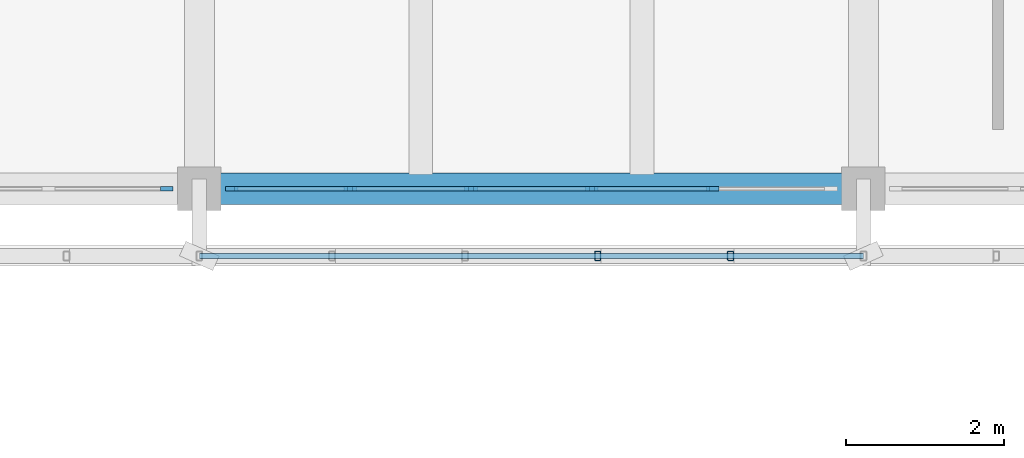
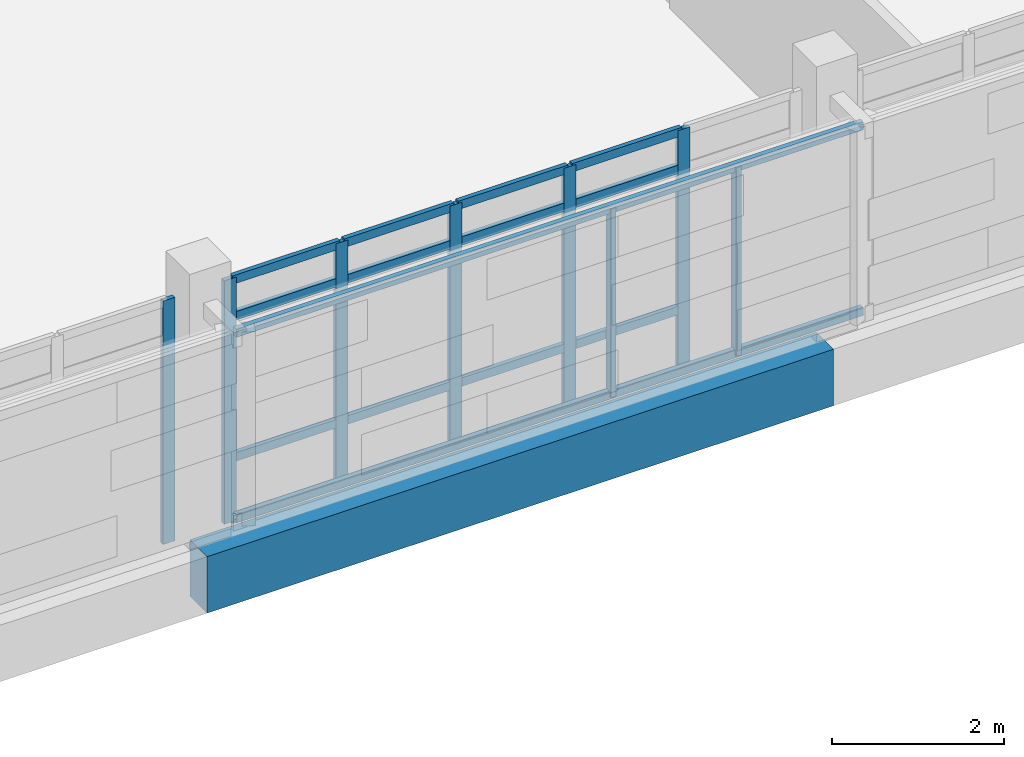
# One storey, part 41 of 117: 26 members, 1 beam, 2 elements without a shape of their own.
"""IFC4 building model written with IfcOpenShell, lengths in metres."""

from ifc_helpers import new_model, si_unit, direction, frame, origin, origin_2d, place, context, subcontext, project, spatial, rectangle, hollow_rectangle, extrude, material, material_profile, profile_set, type_object, element, aggregate, save


model = new_model("IFC4")

# Units and contexts
model_context = context("Model", 3, precision=1e-05, world=origin(), true_north=direction((0.0, 1.0)))
body_context = subcontext(model_context, "Body", "Model", "MODEL_VIEW")
ifc_project = project(units=[si_unit("LENGTHUNIT", "METRE"), si_unit("AREAUNIT", "SQUARE_METRE"), si_unit("VOLUMEUNIT", "CUBIC_METRE"), si_unit("PLANEANGLEUNIT", "RADIAN"), si_unit("MASSUNIT", "GRAM", prefix="KILO")], contexts=[model_context])

# Site, building, storey
site_placement = place(None, origin())
site = spatial("IfcSite", under=ifc_project, at=site_placement, CompositionType="ELEMENT")
building_placement = place(site_placement, origin())
building = spatial("IfcBuilding", under=site, at=building_placement, Name="Cinderway Yard Community Centre", CompositionType="ELEMENT")
storey_placement = place(building_placement, frame((0.0, 0.0, 9.0)))
storey = spatial("IfcBuildingStorey", under=building, at=storey_placement, Name="L02", CompositionType="ELEMENT", Elevation=9.0)

# Curtain wall, member
ifc_material_1 = material(Name="Aluminium 6063-T6", Category="aluminium")
curtain_wall_type = type_object("IfcCurtainWallType", Name="ENV-CW-TYPE-29", PredefinedType="USERDEFINED", material=ifc_material_1)
curtain_wall_1_placement = place(storey_placement, origin())
curtain_wall_1 = element("IfcCurtainWall", 1, at=curtain_wall_1_placement, inside=storey, type_object=curtain_wall_type, Name="V4 Courtyard Curtain Wall ENV-CW-L02-ST-0143", ObjectType="GLAZED CURTAIN WALL", PredefinedType="USERDEFINED")
ifc_material_profile_1 = material_profile(ifc_material_1, rectangle(XDim=0.06005859375, YDim=0.159912109375, at=origin_2d()), Name="Aluminium 6063-T6")
ifc_profile_set_1 = profile_set([ifc_material_profile_1], Name="Aluminium 6063-T6")
member_type_1 = type_object("IfcMemberType", Name="ENV-CW-MULL-150", PredefinedType="MULLION", material=ifc_profile_set_1)
member_1_placement = place(storey_placement, frame((49.590087890625, 90.0, 0.0), z_axis=(0.0, 0.0, 1.0), x_axis=(0.0, 1.0, 0.0)))
member_1 = element("IfcMember", 2, at=member_1_placement, type_object=member_type_1, Name="CW-29 mullion 6", PredefinedType="MULLION", context=body_context, shape_type="SweptSolid", body=[
    extrude(rectangle(XDim=0.06005859375, YDim=0.159912109375, at=origin_2d()), origin(), (0.0, 0.0, 1.0), 3.449951171875),
])
aggregate(curtain_wall_1, [member_1])

# Curtain wall, members
curtain_wall_2_placement = place(storey_placement, origin())
curtain_wall_2 = element("IfcCurtainWall", 3, at=curtain_wall_2_placement, inside=storey, type_object=curtain_wall_type, Name="V4 Courtyard Curtain Wall ENV-CW-L02-ST-0144", ObjectType="GLAZED CURTAIN WALL", PredefinedType="USERDEFINED")
member_2_placement = place(storey_placement, frame((50.409912109375, 90.0, 0.0), z_axis=(0.0, 0.0, 1.0), x_axis=(0.0, 1.0, 0.0)))
member_2 = element("IfcMember", 4, at=member_2_placement, type_object=member_type_1, Name="CW-29 mullion 1", PredefinedType="MULLION", context=body_context, shape_type="SweptSolid", body=[
    extrude(rectangle(XDim=0.06005859375, YDim=0.159912109375, at=origin_2d()), origin(), (0.0, 0.0, 1.0), 3.449951171875),
])
member_3_placement = place(storey_placement, frame((51.907958984375, 90.0, 0.0), z_axis=(0.0, 0.0, 1.0), x_axis=(0.0, 1.0, 0.0)))
member_3 = element("IfcMember", 5, at=member_3_placement, type_object=member_type_1, Name="CW-29 mullion 2", PredefinedType="MULLION", context=body_context, shape_type="SweptSolid", body=[
    extrude(rectangle(XDim=0.06005859375, YDim=0.159912109375, at=origin_2d()), origin(), (0.0, 0.0, 1.0), 3.449951171875),
])
member_4_placement = place(storey_placement, frame((53.43603515625, 90.0, 0.0), z_axis=(0.0, 0.0, 1.0), x_axis=(0.0, 1.0, 0.0)))
member_4 = element("IfcMember", 6, at=member_4_placement, type_object=member_type_1, Name="CW-29 mullion 3", PredefinedType="MULLION", context=body_context, shape_type="SweptSolid", body=[
    extrude(rectangle(XDim=0.06005859375, YDim=0.159912109375, at=origin_2d()), origin(), (0.0, 0.0, 1.0), 3.449951171875),
])
member_5_placement = place(storey_placement, frame((54.964111328125, 90.0, 0.0), z_axis=(0.0, 0.0, 1.0), x_axis=(0.0, 1.0, 0.0)))
member_5 = element("IfcMember", 7, at=member_5_placement, type_object=member_type_1, Name="CW-29 mullion 4", PredefinedType="MULLION", context=body_context, shape_type="SweptSolid", body=[
    extrude(rectangle(XDim=0.06005859375, YDim=0.159912109375, at=origin_2d()), origin(), (0.0, 0.0, 1.0), 3.449951171875),
])
member_6_placement = place(storey_placement, frame((56.491943359375, 90.0, 0.0), z_axis=(0.0, 0.0, 1.0), x_axis=(0.0, 1.0, 0.0)))
member_6 = element("IfcMember", 8, at=member_6_placement, type_object=member_type_1, Name="CW-29 mullion 5", PredefinedType="MULLION", context=body_context, shape_type="SweptSolid", body=[
    extrude(rectangle(XDim=0.06005859375, YDim=0.159912109375, at=origin_2d()), origin(), (0.0, 0.0, 1.0), 3.449951171875),
])
ifc_material_profile_2 = material_profile(ifc_material_1, rectangle(XDim=0.06005859375, YDim=0.1201171875, at=origin_2d()), Name="Aluminium 6063-T6")
ifc_profile_set_2 = profile_set([ifc_material_profile_2], Name="Aluminium 6063-T6")
member_type_2 = type_object("IfcMemberType", Name="ENV-CW-TRAN-110", PredefinedType="USERDEFINED", material=ifc_profile_set_2)
member_7_placement = place(storey_placement, frame((50.43994140625, 90.0, 0.030029296875), z_axis=(1.0, 0.0, 0.0), x_axis=(0.0, 1.0, 0.0)))
member_7 = element("IfcMember", 9, at=member_7_placement, type_object=member_type_2, Name="CW-29 transom 1.1", ObjectType="TRANSOM", PredefinedType="USERDEFINED", context=body_context, shape_type="SweptSolid", body=[
    extrude(rectangle(XDim=0.06005859375, YDim=0.1201171875, at=origin_2d()), origin(), (0.0, 0.0, 1.0), 1.43798828125),
])
member_8_placement = place(storey_placement, frame((50.43994140625, 90.0, 0.89990234375), z_axis=(1.0, 0.0, 0.0), x_axis=(0.0, 1.0, 0.0)))
member_8 = element("IfcMember", 10, at=member_8_placement, type_object=member_type_2, Name="CW-29 transom 1.2", ObjectType="TRANSOM", PredefinedType="USERDEFINED", context=body_context, shape_type="SweptSolid", body=[
    extrude(rectangle(XDim=0.06005859375, YDim=0.1201171875, at=origin_2d()), origin(), (0.0, 0.0, 1.0), 1.43798828125),
])
member_9_placement = place(storey_placement, frame((50.43994140625, 90.0, 2.89990234375), z_axis=(1.0, 0.0, 0.0), x_axis=(0.0, 1.0, 0.0)))
member_9 = element("IfcMember", 11, at=member_9_placement, type_object=member_type_2, Name="CW-29 transom 1.3", ObjectType="TRANSOM", PredefinedType="USERDEFINED", context=body_context, shape_type="SweptSolid", body=[
    extrude(rectangle(XDim=0.06005859375, YDim=0.1201171875, at=origin_2d()), origin(), (0.0, 0.0, 1.0), 1.43798828125),
])
member_10_placement = place(storey_placement, frame((50.43994140625, 90.0, 3.419921875), z_axis=(1.0, 0.0, 0.0), x_axis=(0.0, 1.0, 0.0)))
member_10 = element("IfcMember", 12, at=member_10_placement, type_object=member_type_2, Name="CW-29 transom 1.4", ObjectType="TRANSOM", PredefinedType="USERDEFINED", context=body_context, shape_type="SweptSolid", body=[
    extrude(rectangle(XDim=0.06005859375, YDim=0.1201171875, at=origin_2d()), origin(), (0.0, 0.0, 1.0), 1.43798828125),
])
member_11_placement = place(storey_placement, frame((51.93798828125, 90.0, 0.030029296875), z_axis=(1.0, 0.0, 0.0), x_axis=(0.0, 1.0, 0.0)))
member_11 = element("IfcMember", 13, at=member_11_placement, type_object=member_type_2, Name="CW-29 transom 2.1", ObjectType="TRANSOM", PredefinedType="USERDEFINED", context=body_context, shape_type="SweptSolid", body=[
    extrude(rectangle(XDim=0.06005859375, YDim=0.1201171875, at=origin_2d()), origin(), (0.0, 0.0, 1.0), 1.468017578125),
])
member_12_placement = place(storey_placement, frame((51.93798828125, 90.0, 0.89990234375), z_axis=(1.0, 0.0, 0.0), x_axis=(0.0, 1.0, 0.0)))
member_12 = element("IfcMember", 14, at=member_12_placement, type_object=member_type_2, Name="CW-29 transom 2.2", ObjectType="TRANSOM", PredefinedType="USERDEFINED", context=body_context, shape_type="SweptSolid", body=[
    extrude(rectangle(XDim=0.06005859375, YDim=0.1201171875, at=origin_2d()), origin(), (0.0, 0.0, 1.0), 1.468017578125),
])
member_13_placement = place(storey_placement, frame((51.93798828125, 90.0, 2.89990234375), z_axis=(1.0, 0.0, 0.0), x_axis=(0.0, 1.0, 0.0)))
member_13 = element("IfcMember", 15, at=member_13_placement, type_object=member_type_2, Name="CW-29 transom 2.3", ObjectType="TRANSOM", PredefinedType="USERDEFINED", context=body_context, shape_type="SweptSolid", body=[
    extrude(rectangle(XDim=0.06005859375, YDim=0.1201171875, at=origin_2d()), origin(), (0.0, 0.0, 1.0), 1.468017578125),
])
member_14_placement = place(storey_placement, frame((51.93798828125, 90.0, 3.419921875), z_axis=(1.0, 0.0, 0.0), x_axis=(0.0, 1.0, 0.0)))
member_14 = element("IfcMember", 16, at=member_14_placement, type_object=member_type_2, Name="CW-29 transom 2.4", ObjectType="TRANSOM", PredefinedType="USERDEFINED", context=body_context, shape_type="SweptSolid", body=[
    extrude(rectangle(XDim=0.06005859375, YDim=0.1201171875, at=origin_2d()), origin(), (0.0, 0.0, 1.0), 1.468017578125),
])
member_15_placement = place(storey_placement, frame((53.466064453125, 90.0, 0.030029296875), z_axis=(1.0, 0.0, 0.0), x_axis=(0.0, 1.0, 0.0)))
member_15 = element("IfcMember", 17, at=member_15_placement, type_object=member_type_2, Name="CW-29 transom 3.1", ObjectType="TRANSOM", PredefinedType="USERDEFINED", context=body_context, shape_type="SweptSolid", body=[
    extrude(rectangle(XDim=0.06005859375, YDim=0.1201171875, at=origin_2d()), origin(), (0.0, 0.0, 1.0), 1.468017578125),
])
member_16_placement = place(storey_placement, frame((53.466064453125, 90.0, 0.89990234375), z_axis=(1.0, 0.0, 0.0), x_axis=(0.0, 1.0, 0.0)))
member_16 = element("IfcMember", 18, at=member_16_placement, type_object=member_type_2, Name="CW-29 transom 3.2", ObjectType="TRANSOM", PredefinedType="USERDEFINED", context=body_context, shape_type="SweptSolid", body=[
    extrude(rectangle(XDim=0.06005859375, YDim=0.1201171875, at=origin_2d()), origin(), (0.0, 0.0, 1.0), 1.468017578125),
])
member_17_placement = place(storey_placement, frame((53.466064453125, 90.0, 2.89990234375), z_axis=(1.0, 0.0, 0.0), x_axis=(0.0, 1.0, 0.0)))
member_17 = element("IfcMember", 19, at=member_17_placement, type_object=member_type_2, Name="CW-29 transom 3.3", ObjectType="TRANSOM", PredefinedType="USERDEFINED", context=body_context, shape_type="SweptSolid", body=[
    extrude(rectangle(XDim=0.06005859375, YDim=0.1201171875, at=origin_2d()), origin(), (0.0, 0.0, 1.0), 1.468017578125),
])
member_18_placement = place(storey_placement, frame((53.466064453125, 90.0, 3.419921875), z_axis=(1.0, 0.0, 0.0), x_axis=(0.0, 1.0, 0.0)))
member_18 = element("IfcMember", 20, at=member_18_placement, type_object=member_type_2, Name="CW-29 transom 3.4", ObjectType="TRANSOM", PredefinedType="USERDEFINED", context=body_context, shape_type="SweptSolid", body=[
    extrude(rectangle(XDim=0.06005859375, YDim=0.1201171875, at=origin_2d()), origin(), (0.0, 0.0, 1.0), 1.468017578125),
])
member_19_placement = place(storey_placement, frame((54.993896484375, 90.0, 0.030029296875), z_axis=(1.0, 0.0, 0.0), x_axis=(0.0, 1.0, 0.0)))
member_19 = element("IfcMember", 21, at=member_19_placement, type_object=member_type_2, Name="CW-29 transom 4.1", ObjectType="TRANSOM", PredefinedType="USERDEFINED", context=body_context, shape_type="SweptSolid", body=[
    extrude(rectangle(XDim=0.06005859375, YDim=0.1201171875, at=origin_2d()), origin(), (0.0, 0.0, 1.0), 1.468017578125),
])
member_20_placement = place(storey_placement, frame((54.993896484375, 90.0, 0.89990234375), z_axis=(1.0, 0.0, 0.0), x_axis=(0.0, 1.0, 0.0)))
member_20 = element("IfcMember", 22, at=member_20_placement, type_object=member_type_2, Name="CW-29 transom 4.2", ObjectType="TRANSOM", PredefinedType="USERDEFINED", context=body_context, shape_type="SweptSolid", body=[
    extrude(rectangle(XDim=0.06005859375, YDim=0.1201171875, at=origin_2d()), origin(), (0.0, 0.0, 1.0), 1.468017578125),
])
member_21_placement = place(storey_placement, frame((54.993896484375, 90.0, 2.89990234375), z_axis=(1.0, 0.0, 0.0), x_axis=(0.0, 1.0, 0.0)))
member_21 = element("IfcMember", 23, at=member_21_placement, type_object=member_type_2, Name="CW-29 transom 4.3", ObjectType="TRANSOM", PredefinedType="USERDEFINED", context=body_context, shape_type="SweptSolid", body=[
    extrude(rectangle(XDim=0.06005859375, YDim=0.1201171875, at=origin_2d()), origin(), (0.0, 0.0, 1.0), 1.468017578125),
])
member_22_placement = place(storey_placement, frame((54.993896484375, 90.0, 3.419921875), z_axis=(1.0, 0.0, 0.0), x_axis=(0.0, 1.0, 0.0)))
member_22 = element("IfcMember", 24, at=member_22_placement, type_object=member_type_2, Name="CW-29 transom 4.4", ObjectType="TRANSOM", PredefinedType="USERDEFINED", context=body_context, shape_type="SweptSolid", body=[
    extrude(rectangle(XDim=0.06005859375, YDim=0.1201171875, at=origin_2d()), origin(), (0.0, 0.0, 1.0), 1.468017578125),
])
aggregate(curtain_wall_2, [member_2, member_3, member_4, member_5, member_6, member_7, member_8, member_9, member_10, member_11, member_12, member_13, member_14, member_15, member_16, member_17, member_18, member_19, member_20, member_21, member_22])

# Members
ifc_material_2 = material(Name="Steel S355", Category="steel")
ifc_material_profile_3 = material_profile(ifc_material_2, hollow_rectangle(XDim=0.080078125, YDim=0.1201171875, WallThickness=0.00634765625, InnerFilletRadius=0.00634765625, OuterFilletRadius=0.0126953125, at=origin_2d()), Name="Steel S355")
ifc_profile_set_3 = profile_set([ifc_material_profile_3], Name="Steel S355")
member_type_3 = type_object("IfcMemberType", Name="ENV-MEM-SCREEN-RAIL-120", PredefinedType="STRINGER", material=ifc_profile_set_3)
for number, where, z_axis, x_axis, name in (
    (25, (50.0, 89.14990234375, 0.7099609375), (1.0, 0.0, 0.0), (0.0, 1.0, 0.0), "Screen support rail 0423-BOT"),
    (26, (50.0, 89.14990234375, 3.340087890625), (1.0, 0.0, 0.0), (0.0, 1.0, 0.0), "Screen support rail 0424-TOP"),
):
    element("IfcMember", number, at=place(storey_placement, frame(where, z_axis=z_axis, x_axis=x_axis)), inside=storey, type_object=member_type_3, Name=name, PredefinedType="STRINGER", context=body_context, shape_type="SweptSolid", body=[
        extrude(hollow_rectangle(XDim=0.080078125, YDim=0.1201171875, WallThickness=0.00634765625, InnerFilletRadius=0.00634765625, OuterFilletRadius=0.0126953125, at=origin_2d()), origin(), (0.0, 0.0, 1.0), 8.39990234375),
    ])
for number, where, z_axis, x_axis, name in (
    (27, (55.0400390625, 89.14990234375, 0.68994140625), (0.0, 0.0, 1.0), (1.0, 0.0, 0.0), "Screen vertical mullion 0427"),
    (28, (56.719970703125, 89.14990234375, 0.68994140625), (0.0, 0.0, 1.0), (1.0, 0.0, 0.0), "Screen vertical mullion 0428"),
):
    element("IfcMember", number, at=place(storey_placement, frame(where, z_axis=z_axis, x_axis=x_axis)), inside=storey, type_object=member_type_3, Name=name, PredefinedType="STRINGER", context=body_context, shape_type="SweptSolid", body=[
        extrude(hollow_rectangle(XDim=0.080078125, YDim=0.1201171875, WallThickness=0.00634765625, InnerFilletRadius=0.00634765625, OuterFilletRadius=0.0126953125, at=origin_2d()), origin(), (0.0, 0.0, 1.0), 2.670166015625),
    ])

# Beam
ifc_material_3 = material(Name="Concrete C40/50", Category="concrete")
ifc_material_profile_4 = material_profile(ifc_material_3, rectangle(XDim=0.39990234375, YDim=0.800048828125, at=origin_2d()), Name="Concrete C40/50")
ifc_profile_set_4 = profile_set([ifc_material_profile_4], Name="Concrete C40/50")
beam_type = type_object("IfcBeamType", Name="STR-BM-RC400X800", PredefinedType="BEAM", material=ifc_profile_set_4)
beam_placement = place(storey_placement, frame((50.0, 90.0, -0.639892578125), z_axis=(1.0, 0.0, 0.0), x_axis=(0.0, 1.0, 0.0)))
element("IfcBeam", 29, at=beam_placement, inside=storey, type_object=beam_type, Name="Primary girder STR-BM-L02-BG05-0497", PredefinedType="BEAM", context=body_context, shape_type="SweptSolid", body=[
    extrude(rectangle(XDim=0.39990234375, YDim=0.800048828125, at=origin_2d()), origin(), (0.0, 0.0, 1.0), 8.39990234375),
])

save(model, "model.ifc")
